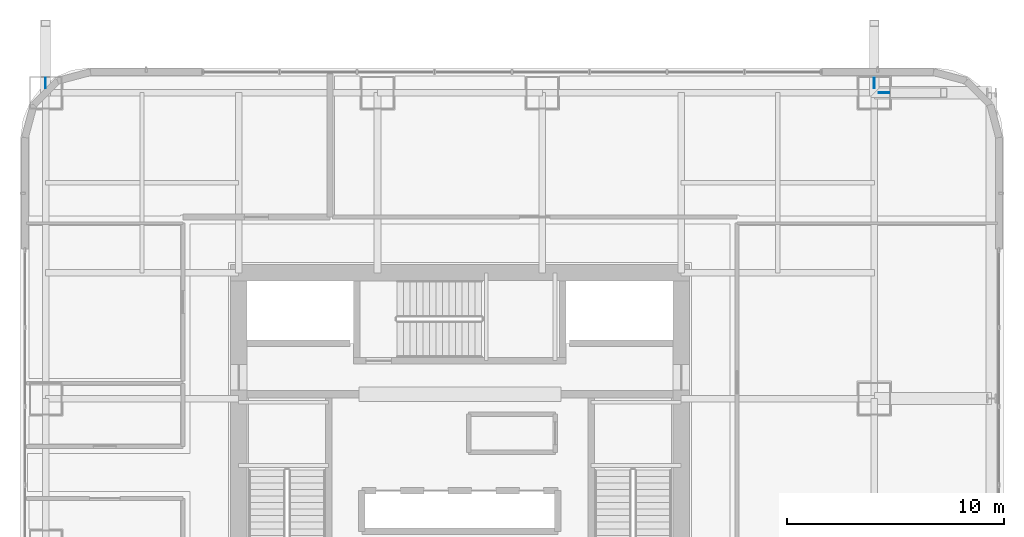
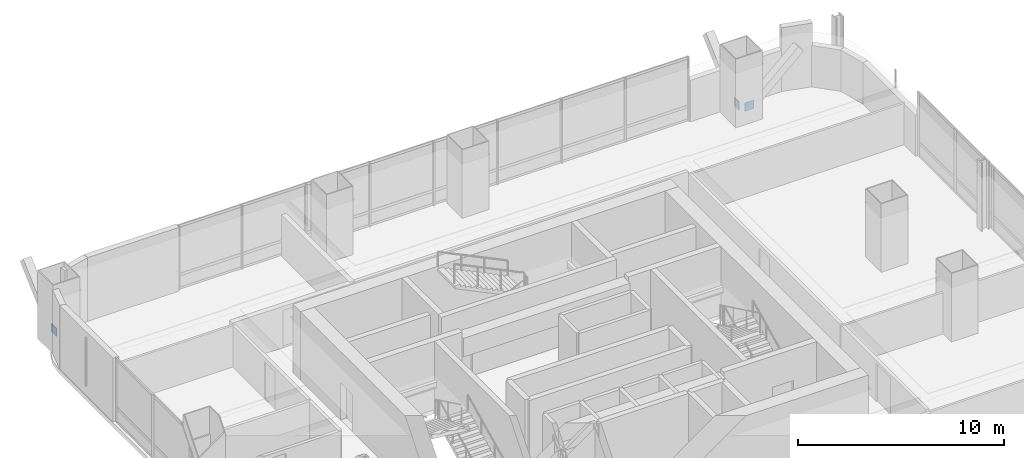
# One storey, part 27 of 42: 3 plates.
"""IFC4 building model written with IfcOpenShell, lengths in metres."""

from ifc_helpers import new_model, si_unit, direction, frame, origin, origin_2d, place, context, subcontext, project, spatial, rectangle, extrude, material, layer, layer_set, type_object, element, save


model = new_model("IFC4")

# Units and contexts
model_context = context("Model", 3, precision=1e-05, world=origin(), true_north=direction((0.0, 1.0)))
body_context = subcontext(model_context, "Body", "Model", "MODEL_VIEW")
ifc_project = project(units=[si_unit("LENGTHUNIT", "METRE"), si_unit("AREAUNIT", "SQUARE_METRE"), si_unit("VOLUMEUNIT", "CUBIC_METRE"), si_unit("PLANEANGLEUNIT", "RADIAN"), si_unit("MASSUNIT", "GRAM", prefix="KILO")], contexts=[model_context])

# Site, building, storey
site_placement = place(None, origin())
site = spatial("IfcSite", under=ifc_project, at=site_placement, CompositionType="ELEMENT")
building_placement = place(site_placement, origin())
building = spatial("IfcBuilding", under=site, at=building_placement, Name="Punatoya Terracotta Tower", CompositionType="ELEMENT")
storey_placement = place(building_placement, frame((0.0, 0.0, 88.949951171875)))
storey = spatial("IfcBuildingStorey", under=building, at=storey_placement, Name="L20", CompositionType="ELEMENT", Elevation=88.949951171875)

# Plates
ifc_material = material(Name="Steel S460", Category="steel")
ifc_layer = layer(ifc_material, 0.031982421875)
ifc_layer_set = layer_set([ifc_layer], Name="Steel S460")
plate_type = type_object("IfcPlateType", Name="PLT-END-32", PredefinedType="USERDEFINED", material=ifc_layer_set)
for number, where, z_axis, x_axis, name in (
    (1, (19.548095703125, 17.5, 0.18310546875), (0.0, 0.0, 1.0), (1.0, 0.0, 0.0), "L21 Knee-Strut Base Gusset Plate E2"),
    (2, (-19.10009765625, 17.947998046875, 0.18310546875), (0.0, 0.0, 1.0), (0.0, 1.0, 0.0), "L21 Knee-Strut Base Gusset Plate N1"),
    (3, (19.10009765625, 17.947998046875, 0.18310546875), (0.0, 0.0, 1.0), (0.0, 1.0, 0.0), "L21 Knee-Strut Base Gusset Plate N2"),
):
    element("IfcPlate", number, at=place(storey_placement, frame(where, z_axis=z_axis, x_axis=x_axis)), inside=storey, type_object=plate_type, Name=name, ObjectType="FLANGE_PLATE", PredefinedType="USERDEFINED", context=body_context, shape_type="SweptSolid", body=[
        extrude(rectangle(XDim=0.5, YDim=0.031982421875, at=origin_2d()), origin(), (0.0, 0.0, 1.0), 0.5),
    ])

save(model, "model.ifc")
